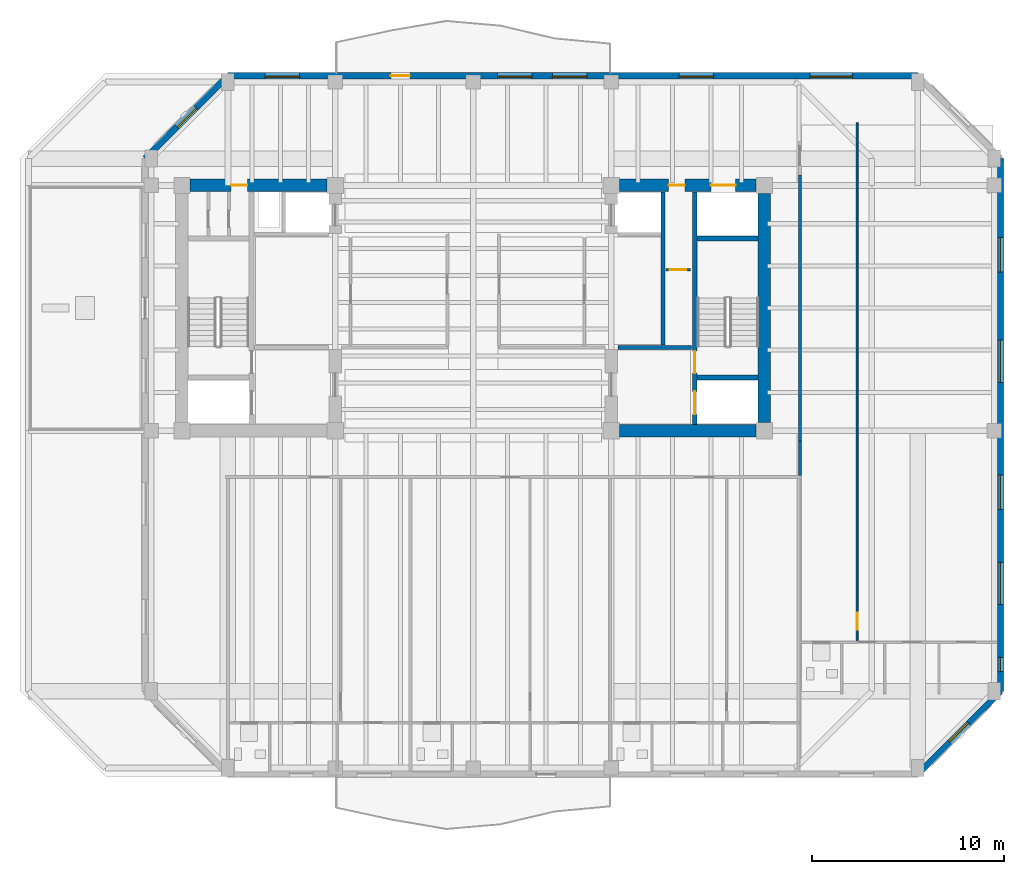
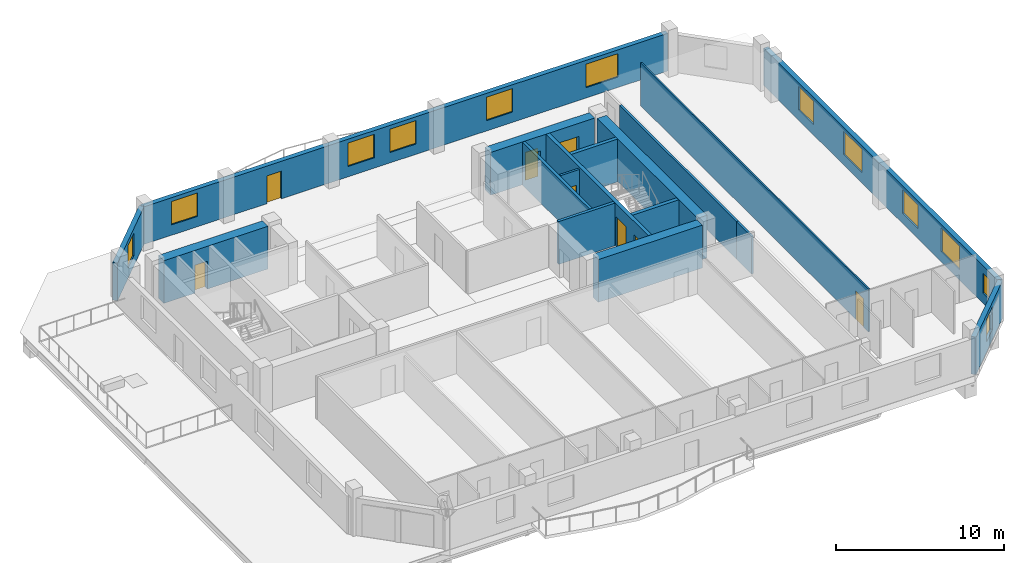
# One storey, part 5 of 11: 17 walls, 12 windows, 8 doors, 20 openings.
"""IFC4 building model written with IfcOpenShell, lengths in metres."""

from ifc_helpers import new_model, si_unit, direction, frame, frame_2d, origin, place, context, subcontext, project, spatial, rectangle, extrude, material, layer, layer_set, type_object, element, fill, save


model = new_model("IFC4")

# Units and contexts
model_context = context("Model", 3, precision=1e-05, world=origin(), true_north=direction((0.0, 1.0)))
body_context = subcontext(model_context, "Body", "Model", "MODEL_VIEW")
ifc_project = project(units=[si_unit("LENGTHUNIT", "METRE"), si_unit("AREAUNIT", "SQUARE_METRE"), si_unit("VOLUMEUNIT", "CUBIC_METRE"), si_unit("PLANEANGLEUNIT", "RADIAN"), si_unit("MASSUNIT", "GRAM", prefix="KILO")], contexts=[model_context])

# Site, building, storey
site_placement = place(None, origin())
site = spatial("IfcSite", under=ifc_project, at=site_placement, CompositionType="ELEMENT")
building_placement = place(site_placement, origin())
building = spatial("IfcBuilding", under=site, at=building_placement, Name="Kranthara Brick Stack", CompositionType="ELEMENT")
storey_placement = place(building_placement, frame((0.0, 0.0, 227.89990234375)))
storey = spatial("IfcBuildingStorey", under=building, at=storey_placement, Name="L59", CompositionType="ELEMENT", Elevation=227.89990234375)

# Wall, opening, window
ifc_material_1 = material(Name="Warm buff clay brick masonry M15", Category="masonry")
ifc_layer_1 = layer(ifc_material_1, 0.320068359375)
ifc_layer_set_1 = layer_set([ifc_layer_1], Name="Warm buff clay brick masonry M15")
wall_type_1 = type_object("IfcWallType", Name="WL-BRK-UPPR-320", PredefinedType="STANDARD", material=ifc_layer_set_1)
wall_1_placement = place(storey_placement, frame((10.8798828125, 35.0, 0.0), z_axis=(0.0, 0.0, 1.0), x_axis=(0.707106781187, 0.707106781187, 0.0)))
wall_1 = element("IfcWall", 1, at=wall_1_placement, inside=storey, type_object=wall_type_1, Name="L59 Exterior Brick Facade Wall NW 1", PredefinedType="STANDARD", context=body_context, shape_type="SweptSolid", body=[
    extrude(rectangle(XDim=6.109619140625, YDim=0.320068359375, at=frame_2d((3.0546875, 0.0))), origin(), (0.0, 0.0, 1.0), 2.72509765625),
])
opening_1_placement = place(wall_1_placement, frame((2.35498046875, 0.0, 0.75)))
opening_1 = element("IfcOpeningElement", 2, at=opening_1_placement, cuts=wall_1, Name="Opening WN10", PredefinedType="OPENING", context=body_context, shape_type="SweptSolid", body=[
    extrude(rectangle(XDim=1.39990234375, YDim=1.64990234375, at=frame_2d((0.699951171875, 0.824951171875))), frame((0.0, 0.169921875, 0.0), z_axis=(0.0, -1.0, 0.0), x_axis=(1.0, 0.0, 0.0)), (0.0, 0.0, 1.0), 0.340087890625),
])
ifc_material_2 = material(Name="Double-glazed low-E solar control glass", Category="glass")
window_type_1 = type_object("IfcWindowType", Name="WN-CHM-1400x1750", PartitioningType="SINGLE_PANEL", PredefinedType="WINDOW", material=ifc_material_2)
window_1_placement = place(opening_1_placement, origin())
window_1 = element("IfcWindow", 3, at=window_1_placement, inside=storey, type_object=window_type_1, Name="L59 NW Chamfer Corner Window", OverallHeight=1.64990234375, OverallWidth=1.39990234375, PartitioningType="SINGLE_PANEL", PredefinedType="WINDOW", context=body_context, shape_type="SweptSolid", body=[
    extrude(rectangle(XDim=1.39990234375, YDim=1.64990234375, at=frame_2d((0.699951171875, 0.824951171875))), frame((0.0, -0.010009765625, 0.0), z_axis=(0.0, -1.0, 0.0), x_axis=(1.0, 0.0, 0.0)), (0.0, 0.0, 1.0), 0.06005859375),
])
fill(opening_1, window_1)

# Wall, openings, door, windows
wall_2_placement = place(storey_placement, frame((15.199951171875, 39.320068359375, 0.0), z_axis=(0.0, 0.0, 1.0), x_axis=(1.0, 0.0, 0.0)))
wall_2 = element("IfcWall", 4, at=wall_2_placement, inside=storey, type_object=wall_type_1, Name="L59 Exterior Brick Facade Wall NORTH 1", PredefinedType="STANDARD", context=body_context, shape_type="SweptSolid", body=[
    extrude(rectangle(XDim=36.0, YDim=0.320068359375, at=frame_2d((18.0, 0.0))), origin(), (0.0, 0.0, 1.0), 2.72509765625),
])
opening_2_placement = place(wall_2_placement, frame((8.5, 0.0, 0.0)))
opening_2 = element("IfcOpeningElement", 5, at=opening_2_placement, cuts=wall_2, Name="Opening D03", PredefinedType="OPENING", context=body_context, shape_type="SweptSolid", body=[
    extrude(rectangle(XDim=1.0, YDim=2.02001953125, at=frame_2d((0.5, 1.010009765625))), frame((0.0, 0.169921875, 0.0), z_axis=(0.0, -1.0, 0.0), x_axis=(1.0, 0.0, 0.0)), (0.0, 0.0, 1.0), 0.340087890625),
])
opening_3_placement = place(wall_2_placement, frame((1.93798828125, 0.0, 0.75)))
opening_3 = element("IfcOpeningElement", 6, at=opening_3_placement, cuts=wall_2, Name="Opening WN07", PredefinedType="OPENING", context=body_context, shape_type="SweptSolid", body=[
    extrude(rectangle(XDim=1.800048828125, YDim=1.699951171875, at=frame_2d((0.89990234375, 0.85009765625))), frame((0.0, 0.169921875, 0.0), z_axis=(0.0, -1.0, 0.0), x_axis=(1.0, 0.0, 0.0)), (0.0, 0.0, 1.0), 0.340087890625),
])
opening_4_placement = place(wall_2_placement, frame((14.072021484375, 0.0, 0.75)))
opening_4 = element("IfcOpeningElement", 7, at=opening_4_placement, cuts=wall_2, Name="Opening WN07", PredefinedType="OPENING", context=body_context, shape_type="SweptSolid", body=[
    extrude(rectangle(XDim=1.800048828125, YDim=1.699951171875, at=frame_2d((0.89990234375, 0.85009765625))), frame((0.0, 0.169921875, 0.0), z_axis=(0.0, -1.0, 0.0), x_axis=(1.0, 0.0, 0.0)), (0.0, 0.0, 1.0), 0.340087890625),
])
opening_5_placement = place(wall_2_placement, frame((16.927978515625, 0.0, 0.75)))
opening_5 = element("IfcOpeningElement", 8, at=opening_5_placement, cuts=wall_2, Name="Opening WN07", PredefinedType="OPENING", context=body_context, shape_type="SweptSolid", body=[
    extrude(rectangle(XDim=1.800048828125, YDim=1.699951171875, at=frame_2d((0.89990234375, 0.85009765625))), frame((0.0, 0.169921875, 0.0), z_axis=(0.0, -1.0, 0.0), x_axis=(1.0, 0.0, 0.0)), (0.0, 0.0, 1.0), 0.340087890625),
])
opening_6_placement = place(wall_2_placement, frame((23.541015625, 0.0, 0.75)))
opening_6 = element("IfcOpeningElement", 9, at=opening_6_placement, cuts=wall_2, Name="Opening WN07", PredefinedType="OPENING", context=body_context, shape_type="SweptSolid", body=[
    extrude(rectangle(XDim=1.800048828125, YDim=1.699951171875, at=frame_2d((0.89990234375, 0.85009765625))), frame((0.0, 0.169921875, 0.0), z_axis=(0.0, -1.0, 0.0), x_axis=(1.0, 0.0, 0.0)), (0.0, 0.0, 1.0), 0.340087890625),
])
opening_7_placement = place(wall_2_placement, frame((30.384033203125, 0.0, 0.75)))
opening_7 = element("IfcOpeningElement", 10, at=opening_7_placement, cuts=wall_2, Name="Opening WN08", PredefinedType="OPENING", context=body_context, shape_type="SweptSolid", body=[
    extrude(rectangle(XDim=2.199951171875, YDim=1.699951171875, at=frame_2d((1.10009765625, 0.85009765625))), frame((0.0, 0.169921875, 0.0), z_axis=(0.0, -1.0, 0.0), x_axis=(1.0, 0.0, 0.0)), (0.0, 0.0, 1.0), 0.340087890625),
])
ifc_material_3 = material(Name="Bronze anodised aluminium and laminated glass", Category="aluminium")
door_type_1 = type_object("IfcDoorType", Name="DR-BALC-1000", OperationType="NOTDEFINED", PredefinedType="DOOR", material=ifc_material_3)
door_1_placement = place(opening_2_placement, origin())
door_1 = element("IfcDoor", 11, at=door_1_placement, inside=storey, type_object=door_type_1, Name="L59 North Balcony Terrace Door", OperationType="SINGLE_SWING_RIGHT", OverallHeight=2.02001953125, OverallWidth=1.0, PredefinedType="DOOR", context=body_context, shape_type="SweptSolid", body=[
    extrude(rectangle(XDim=1.0, YDim=2.02001953125, at=frame_2d((0.5, 1.010009765625))), frame((0.0, 0.02490234375, 0.0), z_axis=(0.0, -1.0, 0.0), x_axis=(1.0, 0.0, 0.0)), (0.0, 0.0, 1.0), 0.050048828125),
])
fill(opening_2, door_1)
ifc_material_4 = material(Name="Double-glazed low-E solar control glass", Category="glass")
window_type_2 = type_object("IfcWindowType", Name="WN-RES-1800x1850", PartitioningType="DOUBLE_PANEL_VERTICAL", PredefinedType="WINDOW", material=ifc_material_4)
window_2_placement = place(opening_3_placement, origin())
window_2 = element("IfcWindow", 12, at=window_2_placement, inside=storey, type_object=window_type_2, Name="L59 North Deep-Set Brick Window 01", OverallHeight=1.699951171875, OverallWidth=1.800048828125, PartitioningType="SINGLE_PANEL", PredefinedType="WINDOW", context=body_context, shape_type="SweptSolid", body=[
    extrude(rectangle(XDim=1.800048828125, YDim=1.699951171875, at=frame_2d((0.89990234375, 0.85009765625))), frame((0.0, -0.010009765625, 0.0), z_axis=(0.0, -1.0, 0.0), x_axis=(1.0, 0.0, 0.0)), (0.0, 0.0, 1.0), 0.06005859375),
])
fill(opening_3, window_2)
window_3_placement = place(opening_4_placement, origin())
window_3 = element("IfcWindow", 13, at=window_3_placement, inside=storey, type_object=window_type_2, Name="L59 North Deep-Set Brick Window 02", OverallHeight=1.699951171875, OverallWidth=1.800048828125, PartitioningType="SINGLE_PANEL", PredefinedType="WINDOW", context=body_context, shape_type="SweptSolid", body=[
    extrude(rectangle(XDim=1.800048828125, YDim=1.699951171875, at=frame_2d((0.89990234375, 0.85009765625))), frame((0.0, -0.010009765625, 0.0), z_axis=(0.0, -1.0, 0.0), x_axis=(1.0, 0.0, 0.0)), (0.0, 0.0, 1.0), 0.06005859375),
])
fill(opening_4, window_3)
window_4_placement = place(opening_5_placement, origin())
window_4 = element("IfcWindow", 14, at=window_4_placement, inside=storey, type_object=window_type_2, Name="L59 North Deep-Set Brick Window 03", OverallHeight=1.699951171875, OverallWidth=1.800048828125, PartitioningType="SINGLE_PANEL", PredefinedType="WINDOW", context=body_context, shape_type="SweptSolid", body=[
    extrude(rectangle(XDim=1.800048828125, YDim=1.699951171875, at=frame_2d((0.89990234375, 0.85009765625))), frame((0.0, -0.010009765625, 0.0), z_axis=(0.0, -1.0, 0.0), x_axis=(1.0, 0.0, 0.0)), (0.0, 0.0, 1.0), 0.06005859375),
])
fill(opening_5, window_4)
window_5_placement = place(opening_6_placement, origin())
window_5 = element("IfcWindow", 15, at=window_5_placement, inside=storey, type_object=window_type_2, Name="L59 North Deep-Set Brick Window 04", OverallHeight=1.699951171875, OverallWidth=1.800048828125, PartitioningType="SINGLE_PANEL", PredefinedType="WINDOW", context=body_context, shape_type="SweptSolid", body=[
    extrude(rectangle(XDim=1.800048828125, YDim=1.699951171875, at=frame_2d((0.89990234375, 0.85009765625))), frame((0.0, -0.010009765625, 0.0), z_axis=(0.0, -1.0, 0.0), x_axis=(1.0, 0.0, 0.0)), (0.0, 0.0, 1.0), 0.06005859375),
])
fill(opening_6, window_5)
ifc_material_5 = material(Name="Double-glazed low-E solar control glass", Category="glass")
window_type_3 = type_object("IfcWindowType", Name="WN-RES-2200x1850", PartitioningType="TRIPLE_PANEL_VERTICAL", PredefinedType="WINDOW", material=ifc_material_5)
window_6_placement = place(opening_7_placement, origin())
window_6 = element("IfcWindow", 16, at=window_6_placement, inside=storey, type_object=window_type_3, Name="L59 North Deep-Set Brick Window 05", OverallHeight=1.699951171875, OverallWidth=2.199951171875, PartitioningType="SINGLE_PANEL", PredefinedType="WINDOW", context=body_context, shape_type="SweptSolid", body=[
    extrude(rectangle(XDim=2.199951171875, YDim=1.699951171875, at=frame_2d((1.10009765625, 0.85009765625))), frame((0.0, -0.010009765625, 0.0), z_axis=(0.0, -1.0, 0.0), x_axis=(1.0, 0.0, 0.0)), (0.0, 0.0, 1.0), 0.06005859375),
])
fill(opening_7, window_6)

# Wall, openings, windows
wall_3_placement = place(storey_placement, frame((55.52001953125, 35.0, 0.0), z_axis=(0.0, 0.0, 1.0), x_axis=(0.0, -1.0, 0.0)))
wall_3 = element("IfcWall", 17, at=wall_3_placement, inside=storey, type_object=wall_type_1, Name="L59 Exterior Brick Facade Wall EAST 1", PredefinedType="STANDARD", context=body_context, shape_type="SweptSolid", body=[
    extrude(rectangle(XDim=27.800048828125, YDim=0.320068359375, at=frame_2d((13.89990234375, 0.0))), origin(), (0.0, 0.0, 1.0), 2.72509765625),
])
opening_8_placement = place(wall_3_placement, frame((4.1279296875, 0.0, 0.75)))
opening_8 = element("IfcOpeningElement", 18, at=opening_8_placement, cuts=wall_3, Name="Opening WN07", PredefinedType="OPENING", context=body_context, shape_type="SweptSolid", body=[
    extrude(rectangle(XDim=1.800048828125, YDim=1.699951171875, at=frame_2d((0.89990234375, 0.85009765625))), frame((0.0, 0.169921875, 0.0), z_axis=(0.0, -1.0, 0.0), x_axis=(1.0, 0.0, 0.0)), (0.0, 0.0, 1.0), 0.340087890625),
])
opening_9_placement = place(wall_3_placement, frame((9.471923828125, 0.0, 0.75)))
opening_9 = element("IfcOpeningElement", 19, at=opening_9_placement, cuts=wall_3, Name="Opening WN08", PredefinedType="OPENING", context=body_context, shape_type="SweptSolid", body=[
    extrude(rectangle(XDim=2.199951171875, YDim=1.699951171875, at=frame_2d((1.10009765625, 0.85009765625))), frame((0.0, 0.169921875, 0.0), z_axis=(0.0, -1.0, 0.0), x_axis=(1.0, 0.0, 0.0)), (0.0, 0.0, 1.0), 0.340087890625),
])
opening_10_placement = place(wall_3_placement, frame((16.506103515625, 0.0, 0.75)))
opening_10 = element("IfcOpeningElement", 20, at=opening_10_placement, cuts=wall_3, Name="Opening WN07", PredefinedType="OPENING", context=body_context, shape_type="SweptSolid", body=[
    extrude(rectangle(XDim=1.800048828125, YDim=1.699951171875, at=frame_2d((0.89990234375, 0.85009765625))), frame((0.0, 0.169921875, 0.0), z_axis=(0.0, -1.0, 0.0), x_axis=(1.0, 0.0, 0.0)), (0.0, 0.0, 1.0), 0.340087890625),
])
opening_11_placement = place(wall_3_placement, frame((21.069091796875, 0.0, 0.75)))
opening_11 = element("IfcOpeningElement", 21, at=opening_11_placement, cuts=wall_3, Name="Opening WN08", PredefinedType="OPENING", context=body_context, shape_type="SweptSolid", body=[
    extrude(rectangle(XDim=2.199951171875, YDim=1.699951171875, at=frame_2d((1.10009765625, 0.85009765625))), frame((0.0, 0.169921875, 0.0), z_axis=(0.0, -1.0, 0.0), x_axis=(1.0, 0.0, 0.0)), (0.0, 0.0, 1.0), 0.340087890625),
])
opening_12_placement = place(wall_3_placement, frame((26.02490234375, 0.0, 0.75)))
opening_12 = element("IfcOpeningElement", 22, at=opening_12_placement, cuts=wall_3, Name="Opening WN13", PredefinedType="OPENING", context=body_context, shape_type="SweptSolid", body=[
    extrude(rectangle(XDim=0.75, YDim=1.449951171875, at=frame_2d((0.375, 0.72509765625))), frame((0.0, 0.169921875, 0.0), z_axis=(0.0, -1.0, 0.0), x_axis=(1.0, 0.0, 0.0)), (0.0, 0.0, 1.0), 0.340087890625),
])
ifc_material_6 = material(Name="Double-glazed low-E solar control glass", Category="glass")
window_type_4 = type_object("IfcWindowType", Name="WN-CAS-750x1450", PartitioningType="SINGLE_PANEL", PredefinedType="WINDOW", material=ifc_material_6)
window_7_placement = place(opening_12_placement, origin())
window_7 = element("IfcWindow", 23, at=window_7_placement, inside=storey, type_object=window_type_4, Name="L59 East Deep-Set Casement Window 05", OverallHeight=1.449951171875, OverallWidth=0.75, PartitioningType="SINGLE_PANEL", PredefinedType="WINDOW", context=body_context, shape_type="SweptSolid", body=[
    extrude(rectangle(XDim=0.75, YDim=1.449951171875, at=frame_2d((0.375, 0.72509765625))), frame((0.0, -0.010009765625, 0.0), z_axis=(0.0, -1.0, 0.0), x_axis=(1.0, 0.0, 0.0)), (0.0, 0.0, 1.0), 0.06005859375),
])
fill(opening_12, window_7)
window_8_placement = place(opening_8_placement, origin())
window_8 = element("IfcWindow", 24, at=window_8_placement, inside=storey, type_object=window_type_2, Name="L59 East Deep-Set Brick Window 01", OverallHeight=1.699951171875, OverallWidth=1.800048828125, PartitioningType="SINGLE_PANEL", PredefinedType="WINDOW", context=body_context, shape_type="SweptSolid", body=[
    extrude(rectangle(XDim=1.800048828125, YDim=1.699951171875, at=frame_2d((0.89990234375, 0.85009765625))), frame((0.0, -0.010009765625, 0.0), z_axis=(0.0, -1.0, 0.0), x_axis=(1.0, 0.0, 0.0)), (0.0, 0.0, 1.0), 0.06005859375),
])
fill(opening_8, window_8)
window_9_placement = place(opening_10_placement, origin())
window_9 = element("IfcWindow", 25, at=window_9_placement, inside=storey, type_object=window_type_2, Name="L59 East Deep-Set Brick Window 03", OverallHeight=1.699951171875, OverallWidth=1.800048828125, PartitioningType="SINGLE_PANEL", PredefinedType="WINDOW", context=body_context, shape_type="SweptSolid", body=[
    extrude(rectangle(XDim=1.800048828125, YDim=1.699951171875, at=frame_2d((0.89990234375, 0.85009765625))), frame((0.0, -0.010009765625, 0.0), z_axis=(0.0, -1.0, 0.0), x_axis=(1.0, 0.0, 0.0)), (0.0, 0.0, 1.0), 0.06005859375),
])
fill(opening_10, window_9)
window_10_placement = place(opening_9_placement, origin())
window_10 = element("IfcWindow", 26, at=window_10_placement, inside=storey, type_object=window_type_3, Name="L59 East Deep-Set Brick Window 02", OverallHeight=1.699951171875, OverallWidth=2.199951171875, PartitioningType="SINGLE_PANEL", PredefinedType="WINDOW", context=body_context, shape_type="SweptSolid", body=[
    extrude(rectangle(XDim=2.199951171875, YDim=1.699951171875, at=frame_2d((1.10009765625, 0.85009765625))), frame((0.0, -0.010009765625, 0.0), z_axis=(0.0, -1.0, 0.0), x_axis=(1.0, 0.0, 0.0)), (0.0, 0.0, 1.0), 0.06005859375),
])
fill(opening_9, window_10)
window_11_placement = place(opening_11_placement, origin())
window_11 = element("IfcWindow", 27, at=window_11_placement, inside=storey, type_object=window_type_3, Name="L59 East Deep-Set Brick Window 04", OverallHeight=1.699951171875, OverallWidth=2.199951171875, PartitioningType="SINGLE_PANEL", PredefinedType="WINDOW", context=body_context, shape_type="SweptSolid", body=[
    extrude(rectangle(XDim=2.199951171875, YDim=1.699951171875, at=frame_2d((1.10009765625, 0.85009765625))), frame((0.0, -0.010009765625, 0.0), z_axis=(0.0, -1.0, 0.0), x_axis=(1.0, 0.0, 0.0)), (0.0, 0.0, 1.0), 0.06005859375),
])
fill(opening_11, window_11)

# Wall, opening, window
wall_4_placement = place(storey_placement, frame((55.52001953125, 7.199951171875, 0.0), z_axis=(0.0, 0.0, 1.0), x_axis=(-0.707106781187, -0.707106781187, 0.0)))
wall_4 = element("IfcWall", 28, at=wall_4_placement, inside=storey, type_object=wall_type_1, Name="L59 Exterior Brick Facade Wall SE 1", PredefinedType="STANDARD", context=body_context, shape_type="SweptSolid", body=[
    extrude(rectangle(XDim=6.109619140625, YDim=0.320068359375, at=frame_2d((3.0546875, 0.0))), origin(), (0.0, 0.0, 1.0), 2.72509765625),
])
opening_13_placement = place(wall_4_placement, frame((2.35498046875, 0.0, 0.75)))
opening_13 = element("IfcOpeningElement", 29, at=opening_13_placement, cuts=wall_4, Name="Opening WN10", PredefinedType="OPENING", context=body_context, shape_type="SweptSolid", body=[
    extrude(rectangle(XDim=1.39990234375, YDim=1.64990234375, at=frame_2d((0.699951171875, 0.824951171875))), frame((0.0, 0.169921875, 0.0), z_axis=(0.0, -1.0, 0.0), x_axis=(1.0, 0.0, 0.0)), (0.0, 0.0, 1.0), 0.340087890625),
])
window_12_placement = place(opening_13_placement, origin())
window_12 = element("IfcWindow", 30, at=window_12_placement, inside=storey, type_object=window_type_1, Name="L59 SE Chamfer Corner Window", OverallHeight=1.64990234375, OverallWidth=1.39990234375, PartitioningType="SINGLE_PANEL", PredefinedType="WINDOW", context=body_context, shape_type="SweptSolid", body=[
    extrude(rectangle(XDim=1.39990234375, YDim=1.64990234375, at=frame_2d((0.699951171875, 0.824951171875))), frame((0.0, -0.010009765625, 0.0), z_axis=(0.0, -1.0, 0.0), x_axis=(1.0, 0.0, 0.0)), (0.0, 0.0, 1.0), 0.06005859375),
])
fill(opening_13, window_12)

# Wall, openings, doors
ifc_material_7 = material(Name="Concrete C50/60", Category="concrete")
ifc_layer_2 = layer(ifc_material_7, 0.25)
ifc_layer_set_2 = layer_set([ifc_layer_2], Name="Concrete C50/60")
wall_type_2 = type_object("IfcWallType", Name="WL-CORE-250", PredefinedType="SHEAR", material=ifc_layer_set_2)
wall_5_placement = place(storey_placement, frame((39.56494140625, 21.135009765625, 0.0), z_axis=(0.0, 0.0, 1.0), x_axis=(0.0, 1.0, 0.0)))
wall_5 = element("IfcWall", 31, at=wall_5_placement, inside=storey, type_object=wall_type_2, Name="L59 East Core Stair Bearing Spine Wall", PredefinedType="SHEAR", context=body_context, shape_type="SweptSolid", body=[
    extrude(rectangle(XDim=12.1298828125, YDim=0.25, at=frame_2d((6.06494140625, 0.0))), origin(), (0.0, 0.0, 1.0), 3.10009765625),
])
opening_14_placement = place(wall_5_placement, frame((0.514892578125, 0.0, 0.0)))
opening_14 = element("IfcOpeningElement", 32, at=opening_14_placement, cuts=wall_5, Name="Opening LD01", PredefinedType="OPENING", context=body_context, shape_type="SweptSolid", body=[
    extrude(rectangle(XDim=1.199951171875, YDim=2.14990234375, at=frame_2d((0.60009765625, 1.074951171875))), frame((0.0, 0.135009765625, 0.0), z_axis=(0.0, -1.0, 0.0), x_axis=(1.0, 0.0, 0.0)), (0.0, 0.0, 1.0), 0.27001953125),
])
opening_15_placement = place(wall_5_placement, frame((2.6650390625, 0.0, 0.0)))
opening_15 = element("IfcOpeningElement", 33, at=opening_15_placement, cuts=wall_5, Name="Opening D05", PredefinedType="OPENING", context=body_context, shape_type="SweptSolid", body=[
    extrude(rectangle(XDim=1.14990234375, YDim=2.14990234375, at=frame_2d((0.574951171875, 1.074951171875))), frame((0.0, 0.135009765625, 0.0), z_axis=(0.0, -1.0, 0.0), x_axis=(1.0, 0.0, 0.0)), (0.0, 0.0, 1.0), 0.27001953125),
])
ifc_material_8 = material(Name="Stainless steel sliding landing door", Category="steel")
door_type_2 = type_object("IfcDoorType", Name="DR-LD-FF1200", OperationType="DOUBLE_DOOR_SLIDING", PredefinedType="DOOR", material=ifc_material_8)
door_2_placement = place(opening_14_placement, origin())
door_2 = element("IfcDoor", 34, at=door_2_placement, inside=storey, type_object=door_type_2, Name="L59 Firefighting Lift FF-02 Landing Door", OperationType="DOUBLE_DOOR_SLIDING", OverallHeight=2.14990234375, OverallWidth=1.199951171875, PredefinedType="DOOR", context=body_context, shape_type="SweptSolid", body=[
    extrude(rectangle(XDim=1.199951171875, YDim=2.14990234375, at=frame_2d((0.60009765625, 1.074951171875))), frame((0.0, 0.02490234375, 0.0), z_axis=(0.0, -1.0, 0.0), x_axis=(1.0, 0.0, 0.0)), (0.0, 0.0, 1.0), 0.050048828125),
])
fill(opening_14, door_2)
ifc_material_9 = material(Name="Solid-core hardwood timber leaf in steel frame", Category="steel")
door_type_3 = type_object("IfcDoorType", Name="DR-ST-1150", OperationType="NOTDEFINED", PredefinedType="DOOR", material=ifc_material_9)
door_3_placement = place(opening_15_placement, origin())
door_3 = element("IfcDoor", 35, at=door_3_placement, inside=storey, type_object=door_type_3, Name="L59 Exit Stair ST02 Door", OperationType="SINGLE_SWING_LEFT", OverallHeight=2.14990234375, OverallWidth=1.14990234375, PredefinedType="DOOR", context=body_context, shape_type="SweptSolid", body=[
    extrude(rectangle(XDim=1.14990234375, YDim=2.14990234375, at=frame_2d((0.574951171875, 1.074951171875))), frame((0.0, 0.02490234375, 0.0), z_axis=(0.0, -1.0, 0.0), x_axis=(1.0, 0.0, 0.0)), (0.0, 0.0, 1.0), 0.050048828125),
])
fill(opening_15, door_3)

# Walls
for number, where, z_axis, x_axis, name in (
    (36, (39.68994140625, 23.570068359375, 0.0), (0.0, 0.0, 1.0), (1.0, 0.0, 0.0), "L59 East Stairwell Bearing Wall EFF"),
    (37, (39.68994140625, 30.830078125, 0.0), (0.0, 0.0, 1.0), (1.0, 0.0, 0.0), "L59 East Stairwell Bearing Wall EST"),
):
    element("IfcWall", number, at=place(storey_placement, frame(where, z_axis=z_axis, x_axis=x_axis)), inside=storey, type_object=wall_type_2, Name=name, PredefinedType="SHEAR", context=body_context, shape_type="SweptSolid", body=[
        extrude(rectangle(XDim=3.175048828125, YDim=0.25, at=frame_2d((1.58740234375, 0.0))), origin(), (0.0, 0.0, 1.0), 3.10009765625),
    ])

# Wall, opening, door
ifc_material_10 = material(Name="Concrete C60/75", Category="concrete")
ifc_layer_3 = layer(ifc_material_10, 0.64990234375)
ifc_layer_set_3 = layer_set([ifc_layer_3], Name="Concrete C60/75")
wall_type_3 = type_object("IfcWallType", Name="WL-CORE-650", PredefinedType="SHEAR", material=ifc_layer_set_3)
wall_6_placement = place(storey_placement, frame((13.22998046875, 33.60009765625, 0.0), z_axis=(0.0, 0.0, 1.0), x_axis=(1.0, 0.0, 0.0)))
wall_6 = element("IfcWall", 38, at=wall_6_placement, inside=storey, type_object=wall_type_3, Name="L59 West Core Shear Wall North", PredefinedType="SHEAR", context=body_context, shape_type="SweptSolid", body=[
    extrude(rectangle(XDim=7.14013671875, YDim=0.64990234375, at=frame_2d((3.570068359375, 0.0))), origin(), (0.0, 0.0, 1.0), 3.10009765625),
])
opening_16_placement = place(wall_6_placement, frame((2.139892578125, 0.0, 0.0)))
opening_16 = element("IfcOpeningElement", 39, at=opening_16_placement, cuts=wall_6, Name="Opening D10", PredefinedType="OPENING", context=body_context, shape_type="SweptSolid", body=[
    extrude(rectangle(XDim=0.85009765625, YDim=2.02001953125, at=frame_2d((0.425048828125, 1.010009765625))), frame((0.0, 0.3349609375, 0.0), z_axis=(0.0, -1.0, 0.0), x_axis=(1.0, 0.0, 0.0)), (0.0, 0.0, 1.0), 0.669921875),
])
ifc_material_11 = material(Name="Solid-core hardwood timber leaf in steel frame", Category="steel")
door_type_4 = type_object("IfcDoorType", Name="DR-RSR-850", OperationType="NOTDEFINED", PredefinedType="DOOR", material=ifc_material_11)
door_4_placement = place(opening_16_placement, origin())
door_4 = element("IfcDoor", 40, at=door_4_placement, inside=storey, type_object=door_type_4, Name="L59 West Core Service Door 1", OperationType="SINGLE_SWING_RIGHT", OverallHeight=2.02001953125, OverallWidth=0.85009765625, PredefinedType="DOOR", context=body_context, shape_type="SweptSolid", body=[
    extrude(rectangle(XDim=0.85009765625, YDim=2.02001953125, at=frame_2d((0.425048828125, 1.010009765625))), frame((0.0, 0.02490234375, 0.0), z_axis=(0.0, -1.0, 0.0), x_axis=(1.0, 0.0, 0.0)), (0.0, 0.0, 1.0), 0.050048828125),
])
fill(opening_16, door_4)

# Walls
wall_7_placement = place(storey_placement, frame((43.199951171875, 21.22998046875, 0.0), z_axis=(0.0, 0.0, 1.0), x_axis=(0.0, 1.0, 0.0)))
element("IfcWall", 41, at=wall_7_placement, inside=storey, type_object=wall_type_3, Name="L59 East Core Shear Wall East", PredefinedType="SHEAR", context=body_context, shape_type="SweptSolid", body=[
    extrude(rectangle(XDim=11.93994140625, YDim=0.64990234375, at=frame_2d((5.969970703125, 0.0))), origin(), (0.0, 0.0, 1.0), 3.10009765625),
])
wall_8_placement = place(storey_placement, frame((35.6298828125, 20.800048828125, 0.0), z_axis=(0.0, 0.0, 1.0), x_axis=(1.0, 0.0, 0.0)))
element("IfcWall", 42, at=wall_8_placement, inside=storey, type_object=wall_type_3, Name="L59 East Core Shear Wall South", PredefinedType="SHEAR", context=body_context, shape_type="SweptSolid", body=[
    extrude(rectangle(XDim=7.14013671875, YDim=0.64990234375, at=frame_2d((3.570068359375, 0.0))), origin(), (0.0, 0.0, 1.0), 3.10009765625),
])

# Wall, openings, doors
wall_9_placement = place(storey_placement, frame((35.6298828125, 33.60009765625, 0.0), z_axis=(0.0, 0.0, 1.0), x_axis=(1.0, 0.0, 0.0)))
wall_9 = element("IfcWall", 43, at=wall_9_placement, inside=storey, type_object=wall_type_3, Name="L59 East Core Shear Wall North", PredefinedType="SHEAR", context=body_context, shape_type="SweptSolid", body=[
    extrude(rectangle(XDim=7.14013671875, YDim=0.64990234375, at=frame_2d((3.570068359375, 0.0))), origin(), (0.0, 0.0, 1.0), 3.10009765625),
])
opening_17_placement = place(wall_9_placement, frame((4.77001953125, 0.0, 0.0)))
opening_17 = element("IfcOpeningElement", 44, at=opening_17_placement, cuts=wall_9, Name="Opening LD03", PredefinedType="OPENING", context=body_context, shape_type="SweptSolid", body=[
    extrude(rectangle(XDim=1.300048828125, YDim=2.14990234375, at=frame_2d((0.64990234375, 1.074951171875))), frame((0.0, 0.3349609375, 0.0), z_axis=(0.0, -1.0, 0.0), x_axis=(1.0, 0.0, 0.0)), (0.0, 0.0, 1.0), 0.669921875),
])
opening_18_placement = place(wall_9_placement, frame((2.570068359375, 0.0, 0.0)))
opening_18 = element("IfcOpeningElement", 45, at=opening_18_placement, cuts=wall_9, Name="Opening D10", PredefinedType="OPENING", context=body_context, shape_type="SweptSolid", body=[
    extrude(rectangle(XDim=0.85009765625, YDim=2.02001953125, at=frame_2d((0.425048828125, 1.010009765625))), frame((0.0, 0.3349609375, 0.0), z_axis=(0.0, -1.0, 0.0), x_axis=(1.0, 0.0, 0.0)), (0.0, 0.0, 1.0), 0.669921875),
])
ifc_material_12 = material(Name="Stainless steel sliding landing door", Category="steel")
door_type_5 = type_object("IfcDoorType", Name="DR-LD-SV1300", OperationType="DOUBLE_DOOR_SLIDING", PredefinedType="DOOR", material=ifc_material_12)
door_5_placement = place(opening_17_placement, origin())
door_5 = element("IfcDoor", 46, at=door_5_placement, inside=storey, type_object=door_type_5, Name="L59 Stretcher Service Lift SV-01 Landing Door", OperationType="DOUBLE_DOOR_SLIDING", OverallHeight=2.14990234375, OverallWidth=1.300048828125, PredefinedType="DOOR", context=body_context, shape_type="SweptSolid", body=[
    extrude(rectangle(XDim=1.300048828125, YDim=2.14990234375, at=frame_2d((0.64990234375, 1.074951171875))), frame((0.0, 0.02490234375, 0.0), z_axis=(0.0, -1.0, 0.0), x_axis=(1.0, 0.0, 0.0)), (0.0, 0.0, 1.0), 0.050048828125),
])
fill(opening_17, door_5)
door_6_placement = place(opening_18_placement, origin())
door_6 = element("IfcDoor", 47, at=door_6_placement, inside=storey, type_object=door_type_4, Name="L59 East Core Service Room Door", OperationType="SINGLE_SWING_LEFT", OverallHeight=2.02001953125, OverallWidth=0.85009765625, PredefinedType="DOOR", context=body_context, shape_type="SweptSolid", body=[
    extrude(rectangle(XDim=0.85009765625, YDim=2.02001953125, at=frame_2d((0.425048828125, 1.010009765625))), frame((0.0, 0.02490234375, 0.0), z_axis=(0.0, -1.0, 0.0), x_axis=(1.0, 0.0, 0.0)), (0.0, 0.0, 1.0), 0.050048828125),
])
fill(opening_18, door_6)

# Wall, opening, door
ifc_material_13 = material(Name="Moisture-resistant wet-room partition", Category="other")
ifc_layer_4 = layer(ifc_material_13, 0.10009765625)
ifc_layer_set_4 = layer_set([ifc_layer_4], Name="Moisture-resistant wet-room partition")
wall_type_4 = type_object("IfcWallType", Name="WL-PART-100", PredefinedType="PARTITIONING", material=ifc_layer_set_4)
wall_10_placement = place(storey_placement, frame((48.037109375, 9.804931640625, 0.0), z_axis=(0.0, 0.0, 1.0), x_axis=(0.0, 1.0, 0.0)))
wall_10 = element("IfcWall", 48, at=wall_10_placement, inside=storey, type_object=wall_type_4, Name="L59 Interior Partition 033", PredefinedType="PARTITIONING", context=body_context, shape_type="SweptSolid", body=[
    extrude(rectangle(XDim=27.065185546875, YDim=0.10009765625, at=frame_2d((13.53271484375, 0.0))), origin(), (0.0, 0.0, 1.0), 3.10009765625),
])
opening_19_placement = place(wall_10_placement, frame((0.60498046875, 0.0, 0.0)))
opening_19 = element("IfcOpeningElement", 49, at=opening_19_placement, cuts=wall_10, Name="Opening D15", PredefinedType="OPENING", context=body_context, shape_type="SweptSolid", body=[
    extrude(rectangle(XDim=0.89990234375, YDim=2.050048828125, at=frame_2d((0.449951171875, 1.02490234375))), frame((0.0, 0.06005859375, 0.0), z_axis=(0.0, -1.0, 0.0), x_axis=(1.0, 0.0, 0.0)), (0.0, 0.0, 1.0), 0.1201171875),
])
ifc_material_14 = material(Name="Solid-core hardwood timber leaf in steel frame", Category="steel")
door_type_6 = type_object("IfcDoorType", Name="DR-INT-900", OperationType="NOTDEFINED", PredefinedType="DOOR", material=ifc_material_14)
door_7_placement = place(opening_19_placement, origin())
door_7 = element("IfcDoor", 50, at=door_7_placement, inside=storey, type_object=door_type_6, Name="L59 Unit L59D Study 24", OperationType="SINGLE_SWING_RIGHT", OverallHeight=2.050048828125, OverallWidth=0.89990234375, PredefinedType="DOOR", context=body_context, shape_type="SweptSolid", body=[
    extrude(rectangle(XDim=0.89990234375, YDim=2.050048828125, at=frame_2d((0.449951171875, 1.02490234375))), frame((0.0, 0.02490234375, 0.0), z_axis=(0.0, -1.0, 0.0), x_axis=(1.0, 0.0, 0.0)), (0.0, 0.0, 1.0), 0.050048828125),
])
fill(opening_19, door_7)

ifc_material_15 = material(Name="Fire-rated gypsum board partition", Category="other")
ifc_layer_5 = layer(ifc_material_15, 0.14990234375)
ifc_layer_set_5 = layer_set([ifc_layer_5], Name="Fire-rated gypsum board partition")
wall_type_5 = type_object("IfcWallType", Name="WL-PART-150", PredefinedType="PARTITIONING", material=ifc_layer_set_5)
wall_11_placement = place(storey_placement, frame((38.050048828125, 29.199951171875, 0.0), z_axis=(0.0, 0.0, 1.0), x_axis=(1.0, 0.0, 0.0)))
wall_11 = element("IfcWall", 51, at=wall_11_placement, inside=storey, type_object=wall_type_5, Name="L59 Interior Partition 003", PredefinedType="PARTITIONING", context=body_context, shape_type="SweptSolid", body=[
    extrude(rectangle(XDim=1.300048828125, YDim=0.14990234375, at=frame_2d((0.64990234375, 0.0))), origin(), (0.0, 0.0, 1.0), 3.10009765625),
])
opening_20_placement = place(wall_11_placement, frame((0.219970703125, 0.0, 0.0)))
opening_20 = element("IfcOpeningElement", 52, at=opening_20_placement, cuts=wall_11, Name="Opening D10", PredefinedType="OPENING", context=body_context, shape_type="SweptSolid", body=[
    extrude(rectangle(XDim=0.85009765625, YDim=2.02001953125, at=frame_2d((0.425048828125, 1.010009765625))), frame((0.0, 0.0849609375, 0.0), z_axis=(0.0, -1.0, 0.0), x_axis=(1.0, 0.0, 0.0)), (0.0, 0.0, 1.0), 0.169921875),
])
door_8_placement = place(opening_20_placement, origin())
door_8 = element("IfcDoor", 53, at=door_8_placement, inside=storey, type_object=door_type_4, Name="L59 East Service Door 03", OperationType="SINGLE_SWING_LEFT", OverallHeight=2.02001953125, OverallWidth=0.85009765625, PredefinedType="DOOR", context=body_context, shape_type="SweptSolid", body=[
    extrude(rectangle(XDim=0.85009765625, YDim=2.02001953125, at=frame_2d((0.425048828125, 1.010009765625))), frame((0.0, 0.02490234375, 0.0), z_axis=(0.0, -1.0, 0.0), x_axis=(1.0, 0.0, 0.0)), (0.0, 0.0, 1.0), 0.050048828125),
])
fill(opening_20, door_8)

# Walls
wall_12_placement = place(storey_placement, frame((45.050048828125, 18.4599609375, 0.0), z_axis=(0.0, 0.0, 1.0), x_axis=(0.0, 1.0, 0.0)))
element("IfcWall", 54, at=wall_12_placement, inside=storey, type_object=wall_type_5, Name="L59 Interior Partition 028", PredefinedType="PARTITIONING", context=body_context, shape_type="SweptSolid", body=[
    extrude(rectangle(XDim=1.7900390625, YDim=0.14990234375, at=frame_2d((0.89501953125, 0.0))), origin(), (0.0, 0.0, 1.0), 2.72509765625),
])
wall_13_placement = place(storey_placement, frame((45.050048828125, 20.25, 0.0), z_axis=(0.0, 0.0, 1.0), x_axis=(0.0, 1.0, 0.0)))
element("IfcWall", 55, at=wall_13_placement, inside=storey, type_object=wall_type_5, Name="L59 Interior Partition 029", PredefinedType="PARTITIONING", context=body_context, shape_type="SweptSolid", body=[
    extrude(rectangle(XDim=13.89990234375, YDim=0.14990234375, at=frame_2d((6.949951171875, 0.0))), origin(), (0.0, 0.0, 1.0), 2.72509765625),
])
ifc_material_16 = material(Name="Concrete C40/50", Category="concrete")
ifc_layer_6 = layer(ifc_material_16, 0.199951171875)
ifc_layer_set_6 = layer_set([ifc_layer_6], Name="Concrete C40/50")
wall_type_6 = type_object("IfcWallType", Name="WL-PART-200", PredefinedType="SOLIDWALL", material=ifc_layer_set_6)
wall_14_placement = place(storey_placement, frame((35.550048828125, 25.14990234375, 0.0), z_axis=(0.0, 0.0, 1.0), x_axis=(1.0, 0.0, 0.0)))
element("IfcWall", 56, at=wall_14_placement, inside=storey, type_object=wall_type_6, Name="L59 East Core Cross Wall EFL", PredefinedType="SOLIDWALL", context=body_context, shape_type="SweptSolid", body=[
    extrude(rectangle(XDim=3.849853515625, YDim=0.199951171875, at=frame_2d((1.9248046875, 0.0))), origin(), (0.0, 0.0, 1.0), 3.10009765625),
])
wall_15_placement = place(storey_placement, frame((37.89990234375, 25.27001953125, 0.0), z_axis=(0.0, 0.0, 1.0), x_axis=(0.0, 1.0, 0.0)))
element("IfcWall", 57, at=wall_15_placement, inside=storey, type_object=wall_type_6, Name="L59 East Core Cross Wall ESV", PredefinedType="SOLIDWALL", context=body_context, shape_type="SweptSolid", body=[
    extrude(rectangle(XDim=7.994873046875, YDim=0.199951171875, at=frame_2d((3.99755859375, 0.0))), origin(), (0.0, 0.0, 1.0), 3.10009765625),
])

save(model, "model.ifc")
